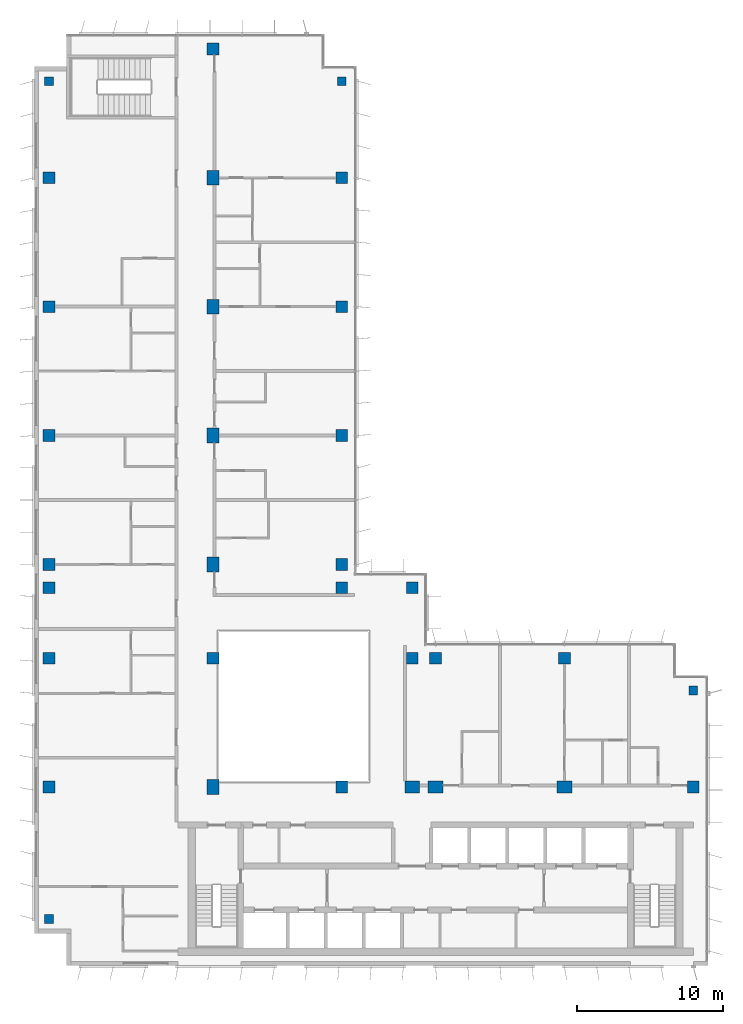
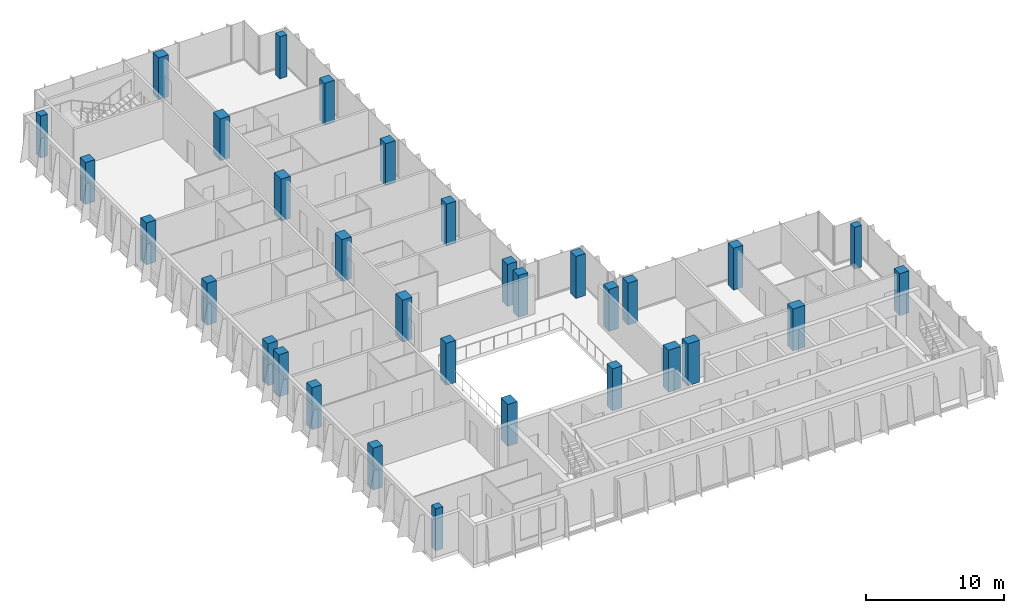
# One storey, part 1 of 16: 32 columns.
"""IFC4 building model written with IfcOpenShell, lengths in metres."""

from ifc_helpers import new_model, si_unit, direction, frame, origin, origin_2d, place, context, subcontext, project, spatial, rectangle, extrude, material, material_profile, profile_set, type_object, element, save


model = new_model("IFC4")

# Units and contexts
model_context = context("Model", 3, precision=1e-05, world=origin(), true_north=direction((0.0, 1.0)))
body_context = subcontext(model_context, "Body", "Model", "MODEL_VIEW")
ifc_project = project(units=[si_unit("LENGTHUNIT", "METRE"), si_unit("AREAUNIT", "SQUARE_METRE"), si_unit("VOLUMEUNIT", "CUBIC_METRE"), si_unit("PLANEANGLEUNIT", "RADIAN"), si_unit("MASSUNIT", "GRAM", prefix="KILO")], contexts=[model_context])

# Site, building, storey
site_placement = place(None, origin())
site = spatial("IfcSite", under=ifc_project, at=site_placement, CompositionType="ELEMENT")
building_placement = place(site_placement, origin())
building = spatial("IfcBuilding", under=site, at=building_placement, Name="Kemantara Hotel Tower", CompositionType="ELEMENT")
storey_placement = place(building_placement, frame((0.0, 0.0, 283.300048828125)))
storey = spatial("IfcBuildingStorey", under=building, at=storey_placement, Name="L71", CompositionType="ELEMENT", Elevation=283.300048828125)

# Columns
ifc_material = material(Name="Concrete fc 50 MPa", Category="concrete")
ifc_material_profile_1 = material_profile(ifc_material, rectangle(XDim=1.0, YDim=0.800048828125, at=origin_2d()), Name="RC 1000X800")
ifc_profile_set_1 = profile_set([ifc_material_profile_1], Name="Concrete fc 50 MPa")
column_type_1 = type_object("IfcColumnType", Name="RC COLUMN 1000X800 FC50", PredefinedType="COLUMN", material=ifc_profile_set_1)
for number, where, z_axis, x_axis, name in (
    (1, (12.199951171875, 12.199951171875, 0.0), (0.0, 0.0, 1.0), (0.0, 1.0, 0.0), "COLUMN 2A/BA L71"),
    (2, (12.199951171875, 27.39990234375, 0.0), (0.0, 0.0, 1.0), (0.0, 1.0, 0.0), "COLUMN 2A/D L71"),
    (3, (12.199951171875, 36.199951171875, 0.0), (0.0, 0.0, 1.0), (0.0, 1.0, 0.0), "COLUMN 2A/E L71"),
    (4, (12.199951171875, 45.0, 0.0), (0.0, 0.0, 1.0), (0.0, 1.0, 0.0), "COLUMN 2A/F L71"),
    (5, (12.199951171875, 53.800048828125, 0.0), (0.0, 0.0, 1.0), (0.0, 1.0, 0.0), "COLUMN 2A/G L71"),
    (6, (25.800048828125, 12.199951171875, 0.0), (0.0, 0.0, 1.0), (1.0, 0.0, 0.0), "COLUMN 3A/BA L71"),
    (7, (27.39990234375, 12.199951171875, 0.0), (0.0, 0.0, 1.0), (1.0, 0.0, 0.0), "COLUMN 4/BA L71"),
    (8, (36.199951171875, 12.199951171875, 0.0), (0.0, 0.0, 1.0), (1.0, 0.0, 0.0), "COLUMN 5/BA L71"),
):
    element("IfcColumn", number, at=place(storey_placement, frame(where, z_axis=z_axis, x_axis=x_axis)), inside=storey, type_object=column_type_1, Name=name, PredefinedType="COLUMN", context=body_context, shape_type="SweptSolid", body=[
        extrude(rectangle(XDim=1.0, YDim=0.800048828125, at=origin_2d()), origin(), (0.0, 0.0, 1.0), 3.699951171875),
    ])
ifc_material_profile_2 = material_profile(ifc_material, rectangle(XDim=0.60009765625, YDim=0.60009765625, at=origin_2d()), Name="RC 600X600")
ifc_profile_set_2 = profile_set([ifc_material_profile_2], Name="Concrete fc 50 MPa")
column_type_2 = type_object("IfcColumnType", Name="RC COLUMN 600X600 FC50", PredefinedType="COLUMN", material=ifc_profile_set_2)
for number, where, z_axis, x_axis, name in (
    (9, (1.0, 3.199951171875, 0.0), (0.0, 0.0, 1.0), (1.0, 0.0, 0.0), "COLUMN notch corner L71"),
    (10, (1.0, 60.39990234375, 0.0), (0.0, 0.0, 1.0), (1.0, 0.0, 0.0), "COLUMN notch corner L71"),
    (11, (21.0, 60.39990234375, 0.0), (0.0, 0.0, 1.0), (1.0, 0.0, 0.0), "COLUMN notch corner L71"),
    (12, (45.0, 18.800048828125, 0.0), (0.0, 0.0, 1.0), (1.0, 0.0, 0.0), "COLUMN notch corner L71"),
):
    element("IfcColumn", number, at=place(storey_placement, frame(where, z_axis=z_axis, x_axis=x_axis)), inside=storey, type_object=column_type_2, Name=name, PredefinedType="COLUMN", context=body_context, shape_type="SweptSolid", body=[
        extrude(rectangle(XDim=0.60009765625, YDim=0.60009765625, at=origin_2d()), origin(), (0.0, 0.0, 1.0), 3.699951171875),
    ])
ifc_material_profile_3 = material_profile(ifc_material, rectangle(XDim=0.800048828125, YDim=0.800048828125, at=origin_2d()), Name="RC 800X800")
ifc_profile_set_3 = profile_set([ifc_material_profile_3], Name="Concrete fc 50 MPa")
column_type_3 = type_object("IfcColumnType", Name="RC COLUMN 800X800 FC50", PredefinedType="COLUMN", material=ifc_profile_set_3)
for number, where, z_axis, x_axis, name in (
    (13, (1.0, 12.199951171875, 0.0), (0.0, 0.0, 1.0), (1.0, 0.0, 0.0), "COLUMN 1/BA L71"),
    (14, (1.0, 21.0, 0.0), (0.0, 0.0, 1.0), (1.0, 0.0, 0.0), "COLUMN 1/C L71"),
    (15, (1.0, 25.800048828125, 0.0), (0.0, 0.0, 1.0), (1.0, 0.0, 0.0), "COLUMN 1/CA L71"),
    (16, (1.0, 27.39990234375, 0.0), (0.0, 0.0, 1.0), (1.0, 0.0, 0.0), "COLUMN 1/D L71"),
    (17, (1.0, 36.199951171875, 0.0), (0.0, 0.0, 1.0), (1.0, 0.0, 0.0), "COLUMN 1/E L71"),
    (18, (1.0, 45.0, 0.0), (0.0, 0.0, 1.0), (1.0, 0.0, 0.0), "COLUMN 1/F L71"),
    (19, (1.0, 53.800048828125, 0.0), (0.0, 0.0, 1.0), (1.0, 0.0, 0.0), "COLUMN 1/G L71"),
    (20, (12.199951171875, 21.0, 0.0), (0.0, 0.0, 1.0), (1.0, 0.0, 0.0), "COLUMN 2A/C L71"),
    (21, (12.199951171875, 62.60009765625, 0.0), (0.0, 0.0, 1.0), (1.0, 0.0, 0.0), "COLUMN 2A/H L71"),
    (22, (21.0, 12.199951171875, 0.0), (0.0, 0.0, 1.0), (1.0, 0.0, 0.0), "COLUMN 3/BA L71"),
    (23, (21.0, 25.800048828125, 0.0), (0.0, 0.0, 1.0), (1.0, 0.0, 0.0), "COLUMN 3/CA L71"),
    (24, (21.0, 27.39990234375, 0.0), (0.0, 0.0, 1.0), (1.0, 0.0, 0.0), "COLUMN 3/D L71"),
    (25, (21.0, 36.199951171875, 0.0), (0.0, 0.0, 1.0), (1.0, 0.0, 0.0), "COLUMN 3/E L71"),
    (26, (21.0, 45.0, 0.0), (0.0, 0.0, 1.0), (1.0, 0.0, 0.0), "COLUMN 3/F L71"),
    (27, (21.0, 53.800048828125, 0.0), (0.0, 0.0, 1.0), (1.0, 0.0, 0.0), "COLUMN 3/G L71"),
    (28, (25.800048828125, 21.0, 0.0), (0.0, 0.0, 1.0), (1.0, 0.0, 0.0), "COLUMN 3A/C L71"),
    (29, (25.800048828125, 25.800048828125, 0.0), (0.0, 0.0, 1.0), (1.0, 0.0, 0.0), "COLUMN 3A/CA L71"),
    (30, (27.39990234375, 21.0, 0.0), (0.0, 0.0, 1.0), (1.0, 0.0, 0.0), "COLUMN 4/C L71"),
    (31, (36.199951171875, 21.0, 0.0), (0.0, 0.0, 1.0), (1.0, 0.0, 0.0), "COLUMN 5/C L71"),
    (32, (45.0, 12.199951171875, 0.0), (0.0, 0.0, 1.0), (1.0, 0.0, 0.0), "COLUMN 6/BA L71"),
):
    element("IfcColumn", number, at=place(storey_placement, frame(where, z_axis=z_axis, x_axis=x_axis)), inside=storey, type_object=column_type_3, Name=name, PredefinedType="COLUMN", context=body_context, shape_type="SweptSolid", body=[
        extrude(rectangle(XDim=0.800048828125, YDim=0.800048828125, at=origin_2d()), origin(), (0.0, 0.0, 1.0), 3.699951171875),
    ])

save(model, "model.ifc")
